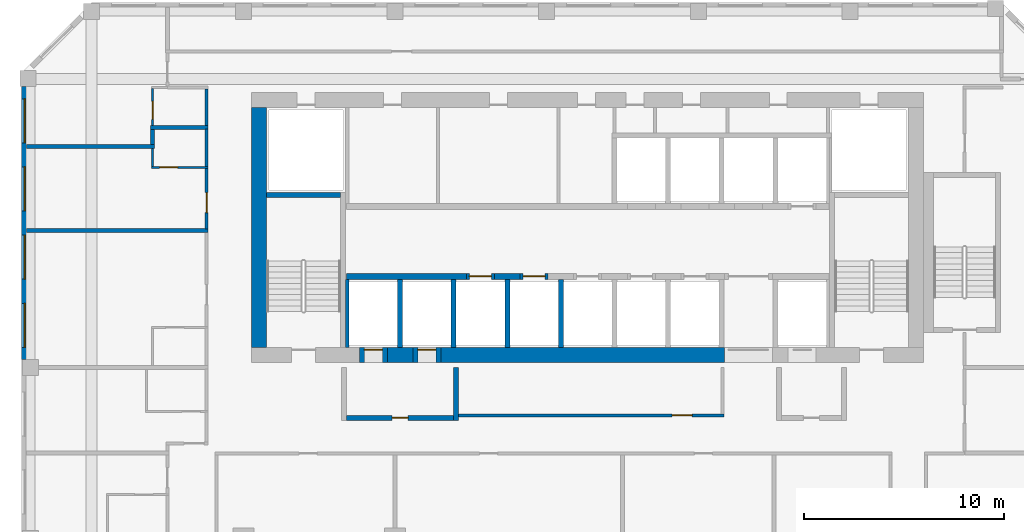
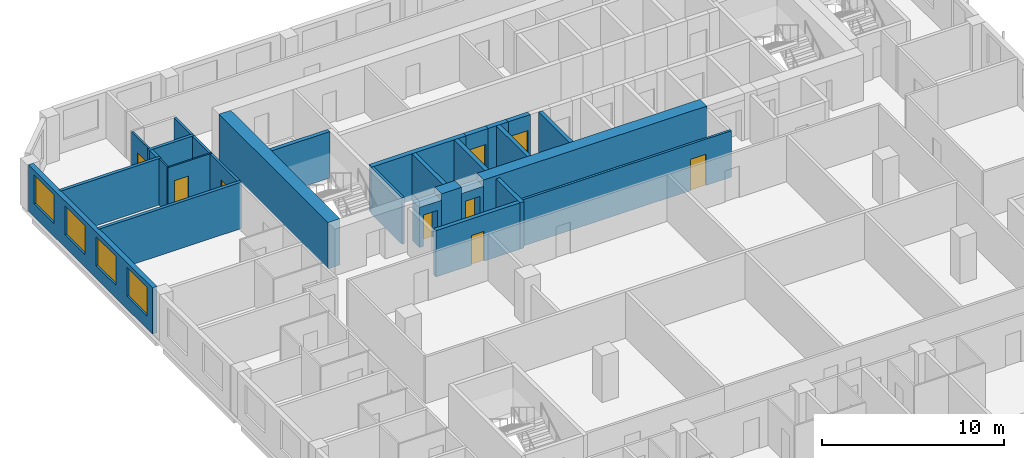
# One storey, part 7 of 21: 29 walls, 9 doors, 4 windows, 13 openings.
"""IFC4 building model written with IfcOpenShell, lengths in metres."""

from ifc_helpers import new_model, si_unit, direction, frame, frame_2d, origin, place, context, subcontext, project, spatial, rectangle, extrude, source, transform, mapped, material, layer, layer_set, type_object, element, fill, save


model = new_model("IFC4")

# Units and contexts
model_context = context("Model", 3, precision=1e-05, world=origin(), true_north=direction((0.0, 1.0)))
body_context = subcontext(model_context, "Body", "Model", "MODEL_VIEW")
ifc_project = project(units=[si_unit("LENGTHUNIT", "METRE"), si_unit("AREAUNIT", "SQUARE_METRE"), si_unit("VOLUMEUNIT", "CUBIC_METRE"), si_unit("PLANEANGLEUNIT", "RADIAN"), si_unit("MASSUNIT", "GRAM", prefix="KILO")], contexts=[model_context])

# Site, building, storey
site_placement = place(None, origin())
site = spatial("IfcSite", under=ifc_project, at=site_placement, CompositionType="ELEMENT")
building_placement = place(site_placement, origin())
building = spatial("IfcBuilding", under=site, at=building_placement, Name="Kilnfold Tower and Market Hall", CompositionType="ELEMENT")
storey_placement = place(building_placement, frame((0.0, 0.0, 182.10009765625)))
storey = spatial("IfcBuildingStorey", under=building, at=storey_placement, Name="L43", CompositionType="ELEMENT", Elevation=182.10009765625)

# Wall, opening, door
ifc_material_1 = material(Name="Gypsum board on steel studs", Category="steel")
ifc_layer_1 = layer(ifc_material_1, 0.14990234375)
ifc_layer_set_1 = layer_set([ifc_layer_1], Name="Gypsum board on steel studs")
wall_type_1 = type_object("IfcWallType", Name="WALL CORRIDOR 150", PredefinedType="PARTITIONING", material=ifc_layer_set_1)
wall_1_placement = place(storey_placement, frame((-18.0, 14.927001953125, 0.0), z_axis=(0.0, 0.0, 1.0), x_axis=(0.0, 1.0, 0.0)))
wall_1 = element("IfcWall", 1, at=wall_1_placement, inside=storey, type_object=wall_type_1, Name="Partition LY27.24", PredefinedType="PARTITIONING", context=body_context, shape_type="SweptSolid", body=[
    extrude(rectangle(XDim=3.032958984375, YDim=0.14990234375, at=frame_2d((1.5166015625, 0.0))), origin(), (0.0, 0.0, 1.0), 3.119873046875),
])
opening_1_placement = place(wall_1_placement, frame((0.81201171875, 0.0, 0.0)))
opening_1 = element("IfcOpeningElement", 2, at=opening_1_placement, cuts=wall_1, Name="Opening D1", PredefinedType="OPENING", context=body_context, shape_type="SweptSolid", body=[
    extrude(rectangle(XDim=1.0, YDim=2.10009765625, at=frame_2d((0.5, 1.050048828125))), frame((0.0, 0.0849609375, 0.0), z_axis=(0.0, -1.0, 0.0), x_axis=(1.0, 0.0, 0.0)), (0.0, 0.0, 1.0), 0.169921875),
])
ifc_material_2 = material(Name="Timber veneer door leaf in steel frame", Category="steel")
door_type_1 = type_object("IfcDoorType", Name="DOOR ENTRY 1000 X2100", OperationType="NOTDEFINED", PredefinedType="DOOR", material=ifc_material_2)
door_1_placement = place(opening_1_placement, origin())
door_1 = element("IfcDoor", 3, at=door_1_placement, inside=storey, type_object=door_type_1, Name="Door D1", OperationType="SINGLE_SWING_LEFT", OverallHeight=2.10009765625, OverallWidth=1.0, PredefinedType="DOOR", context=body_context, shape_type="SweptSolid", body=[
    extrude(rectangle(XDim=1.0, YDim=2.10009765625, at=frame_2d((0.5, 1.050048828125))), frame((0.0, 0.02490234375, 0.0), z_axis=(0.0, -1.0, 0.0), x_axis=(1.0, 0.0, 0.0)), (0.0, 0.0, 1.0), 0.050048828125),
])
fill(opening_1, door_1)

# Walls
wall_2_placement = place(storey_placement, frame((-18.0, 18.0400390625, 0.0), z_axis=(0.0, 0.0, 1.0), x_axis=(0.0, 1.0, 0.0)))
element("IfcWall", 4, at=wall_2_placement, inside=storey, type_object=wall_type_1, Name="Partition LY27.25", PredefinedType="PARTITIONING", context=body_context, shape_type="SweptSolid", body=[
    extrude(rectangle(XDim=1.869873046875, YDim=0.14990234375, at=frame_2d((0.93505859375, 0.0))), origin(), (0.0, 0.0, 1.0), 3.119873046875),
])
wall_3_placement = place(storey_placement, frame((-18.0, 20.090087890625, 0.0), z_axis=(0.0, 0.0, 1.0), x_axis=(0.0, 1.0, 0.0)))
element("IfcWall", 5, at=wall_3_placement, inside=storey, type_object=wall_type_1, Name="Partition LY27.27", PredefinedType="PARTITIONING", context=body_context, shape_type="SweptSolid", body=[
    extrude(rectangle(XDim=1.8349609375, YDim=0.14990234375, at=frame_2d((0.91748046875, 0.0))), origin(), (0.0, 0.0, 1.0), 3.119873046875),
])

# Wall, opening, door
wall_4_placement = place(storey_placement, frame((7.875, 5.60009765625, 0.0), z_axis=(0.0, 0.0, 1.0), x_axis=(-1.0, 0.0, 0.0)))
wall_4 = element("IfcWall", 6, at=wall_4_placement, inside=storey, type_object=wall_type_1, Name="Partition LY27.40", PredefinedType="PARTITIONING", context=body_context, shape_type="SweptSolid", body=[
    extrude(rectangle(XDim=13.27490234375, YDim=0.14990234375, at=frame_2d((6.637451171875, 0.0))), origin(), (0.0, 0.0, 1.0), 3.119873046875),
])
opening_2_placement = place(wall_4_placement, frame((1.60888671875, 0.0, 0.0)))
opening_2 = element("IfcOpeningElement", 7, at=opening_2_placement, cuts=wall_4, Name="Opening D1", PredefinedType="OPENING", context=body_context, shape_type="SweptSolid", body=[
    extrude(rectangle(XDim=1.0, YDim=2.10009765625, at=frame_2d((0.5, 1.050048828125))), frame((0.0, 0.0849609375, 0.0), z_axis=(0.0, -1.0, 0.0), x_axis=(1.0, 0.0, 0.0)), (0.0, 0.0, 1.0), 0.169921875),
])
door_2_placement = place(opening_2_placement, origin())
door_2 = element("IfcDoor", 8, at=door_2_placement, inside=storey, type_object=door_type_1, Name="Door D1", OperationType="SINGLE_SWING_LEFT", OverallHeight=2.10009765625, OverallWidth=1.0, PredefinedType="DOOR", context=body_context, shape_type="SweptSolid", body=[
    extrude(rectangle(XDim=1.0, YDim=2.10009765625, at=frame_2d((0.5, 1.050048828125))), frame((0.0, 0.02490234375, 0.0), z_axis=(0.0, -1.0, 0.0), x_axis=(1.0, 0.0, 0.0)), (0.0, 0.0, 1.0), 0.050048828125),
])
fill(opening_2, door_2)

ifc_material_3 = material(Name="Gypsum board on steel studs", Category="steel")
ifc_layer_2 = layer(ifc_material_3, 0.10009765625)
ifc_layer_set_2 = layer_set([ifc_layer_2], Name="Gypsum board on steel studs")
wall_type_2 = type_object("IfcWallType", Name="WALL PARTITION 100", PredefinedType="PARTITIONING", material=ifc_layer_set_2)
wall_5_placement = place(storey_placement, frame((-17.927001953125, 18.0, 0.0), z_axis=(0.0, 0.0, 1.0), x_axis=(-1.0, 0.0, 0.0)))
wall_5 = element("IfcWall", 9, at=wall_5_placement, inside=storey, type_object=wall_type_2, Name="Partition LY27.103", PredefinedType="PARTITIONING", context=body_context, shape_type="SweptSolid", body=[
    extrude(rectangle(XDim=2.824951171875, YDim=0.10009765625, at=frame_2d((1.41259765625, 0.0))), origin(), (0.0, 0.0, 1.0), 3.119873046875),
])
opening_3_placement = place(wall_5_placement, frame((1.52197265625, 0.0, 0.0)))
opening_3 = element("IfcOpeningElement", 10, at=opening_3_placement, cuts=wall_5, Name="Opening D3", PredefinedType="OPENING", context=body_context, shape_type="SweptSolid", body=[
    extrude(rectangle(XDim=0.89990234375, YDim=2.10009765625, at=frame_2d((0.449951171875, 1.050048828125))), frame((0.0, 0.06005859375, 0.0), z_axis=(0.0, -1.0, 0.0), x_axis=(1.0, 0.0, 0.0)), (0.0, 0.0, 1.0), 0.1201171875),
])
ifc_material_4 = material(Name="Timber veneer door leaf in steel frame", Category="steel")
door_type_2 = type_object("IfcDoorType", Name="DOOR WC 900 X2100", OperationType="NOTDEFINED", PredefinedType="DOOR", material=ifc_material_4)
door_3_placement = place(opening_3_placement, origin())
door_3 = element("IfcDoor", 11, at=door_3_placement, inside=storey, type_object=door_type_2, Name="Door D3", OperationType="SINGLE_SWING_RIGHT", OverallHeight=2.10009765625, OverallWidth=0.89990234375, PredefinedType="DOOR", context=body_context, shape_type="SweptSolid", body=[
    extrude(rectangle(XDim=0.89990234375, YDim=2.10009765625, at=frame_2d((0.449951171875, 1.050048828125))), frame((0.0, 0.02490234375, 0.0), z_axis=(0.0, -1.0, 0.0), x_axis=(1.0, 0.0, 0.0)), (0.0, 0.0, 1.0), 0.050048828125),
])
fill(opening_3, door_3)

# Wall
wall_6_placement = place(storey_placement, frame((-20.701904296875, 18.050048828125, 0.0), z_axis=(0.0, 0.0, 1.0), x_axis=(0.0, 1.0, 0.0)))
element("IfcWall", 12, at=wall_6_placement, inside=storey, type_object=wall_type_2, Name="Partition LY27.104", PredefinedType="PARTITIONING", context=body_context, shape_type="SweptSolid", body=[
    extrude(rectangle(XDim=0.90283203125, YDim=0.10009765625, at=frame_2d((0.451416015625, 0.0))), origin(), (0.0, 0.0, 1.0), 3.119873046875),
])

# Wall, opening, door
wall_7_placement = place(storey_placement, frame((-20.701904296875, 20.090087890625, 0.0), z_axis=(0.0, 0.0, 1.0), x_axis=(0.0, 1.0, 0.0)))
wall_7 = element("IfcWall", 13, at=wall_7_placement, inside=storey, type_object=wall_type_2, Name="Partition LY27.109", PredefinedType="PARTITIONING", context=body_context, shape_type="SweptSolid", body=[
    extrude(rectangle(XDim=1.85986328125, YDim=0.10009765625, at=frame_2d((0.929931640625, 0.0))), origin(), (0.0, 0.0, 1.0), 3.119873046875),
])
opening_4_placement = place(wall_7_placement, frame((0.31201171875, 0.0, 0.0)))
opening_4 = element("IfcOpeningElement", 14, at=opening_4_placement, cuts=wall_7, Name="Opening D3", PredefinedType="OPENING", context=body_context, shape_type="SweptSolid", body=[
    extrude(rectangle(XDim=0.89990234375, YDim=2.10009765625, at=frame_2d((0.449951171875, 1.050048828125))), frame((0.0, 0.06005859375, 0.0), z_axis=(0.0, -1.0, 0.0), x_axis=(1.0, 0.0, 0.0)), (0.0, 0.0, 1.0), 0.1201171875),
])
door_4_placement = place(opening_4_placement, origin())
door_4 = element("IfcDoor", 15, at=door_4_placement, inside=storey, type_object=door_type_2, Name="Door D3", OperationType="SINGLE_SWING_RIGHT", OverallHeight=2.10009765625, OverallWidth=0.89990234375, PredefinedType="DOOR", context=body_context, shape_type="SweptSolid", body=[
    extrude(rectangle(XDim=0.89990234375, YDim=2.10009765625, at=frame_2d((0.449951171875, 1.050048828125))), frame((0.0, 0.02490234375, 0.0), z_axis=(0.0, -1.0, 0.0), x_axis=(1.0, 0.0, 0.0)), (0.0, 0.0, 1.0), 0.050048828125),
])
fill(opening_4, door_4)

# Walls
ifc_material_5 = material(Name="Gypsum board on steel studs", Category="steel")
ifc_layer_3 = layer(ifc_material_5, 0.199951171875)
ifc_layer_set_3 = layer_set([ifc_layer_3], Name="Gypsum board on steel studs")
wall_type_3 = type_object("IfcWallType", Name="WALL PARTY 200", PredefinedType="PARTITIONING", material=ifc_layer_set_3)
wall_8_placement = place(storey_placement, frame((-17.927001953125, 14.8369140625, 0.0), z_axis=(0.0, 0.0, 1.0), x_axis=(-1.0, 0.0, 0.0)))
element("IfcWall", 16, at=wall_8_placement, inside=storey, type_object=wall_type_3, Name="Partition LY27.102", PredefinedType="PARTITIONING", context=body_context, shape_type="SweptSolid", body=[
    extrude(rectangle(XDim=9.072998046875, YDim=0.199951171875, at=frame_2d((4.53662109375, 0.0))), origin(), (0.0, 0.0, 1.0), 3.119873046875),
])
wall_9_placement = place(storey_placement, frame((-20.60205078125, 19.052978515625, 0.0), z_axis=(0.0, 0.0, 1.0), x_axis=(-1.0, 0.0, 0.0)))
element("IfcWall", 17, at=wall_9_placement, inside=storey, type_object=wall_type_3, Name="Partition LY27.105", PredefinedType="PARTITIONING", context=body_context, shape_type="SweptSolid", body=[
    extrude(rectangle(XDim=6.39794921875, YDim=0.199951171875, at=frame_2d((3.198974609375, 0.0))), origin(), (0.0, 0.0, 1.0), 3.119873046875),
])
wall_10_placement = place(storey_placement, frame((-20.701904296875, 19.89990234375, 0.0), z_axis=(0.0, 0.0, 1.0), x_axis=(0.0, -1.0, 0.0)))
element("IfcWall", 18, at=wall_10_placement, inside=storey, type_object=wall_type_3, Name="Partition LY27.106", PredefinedType="PARTITIONING", context=body_context, shape_type="SweptSolid", body=[
    extrude(rectangle(XDim=0.7568359375, YDim=0.199951171875, at=frame_2d((0.37841796875, 0.0))), origin(), (0.0, 0.0, 1.0), 3.119873046875),
])
wall_11_placement = place(storey_placement, frame((-17.927001953125, 20.0, 0.0), z_axis=(0.0, 0.0, 1.0), x_axis=(-1.0, 0.0, 0.0)))
element("IfcWall", 19, at=wall_11_placement, inside=storey, type_object=wall_type_3, Name="Partition LY27.107", PredefinedType="PARTITIONING", context=body_context, shape_type="SweptSolid", body=[
    extrude(rectangle(XDim=2.875, YDim=0.199951171875, at=frame_2d((1.4375, 0.0))), origin(), (0.0, 0.0, 1.0), 3.119873046875),
])
ifc_material_6 = material(Name="Concrete C60", Category="concrete")
ifc_layer_4 = layer(ifc_material_6, 0.25)
ifc_layer_set_4 = layer_set([ifc_layer_4], Name="Concrete C60")
wall_type_4 = type_object("IfcWallType", Name="CORE WALL 250 C60", PredefinedType="SHEAR", material=ifc_layer_set_4)
shared_shape_1 = source(origin(), body_context, "Body", "SweptSolid", [
    extrude(rectangle(XDim=3.699951171875, YDim=0.25, at=frame_2d((1.85009765625, 0.0))), origin(), (0.0, 0.0, 1.0), 3.119873046875),
])
wall_12_placement = place(storey_placement, frame((-15.0, 16.625, 0.0), z_axis=(0.0, 0.0, 1.0), x_axis=(1.0, 0.0, 0.0)))
element("IfcWall", 20, at=wall_12_placement, inside=storey, type_object=wall_type_4, Name="Stair enclosure ST1", PredefinedType="SHEAR", context=body_context, shape_type="MappedRepresentation", body=[
    mapped(shared_shape_1, transform((0.0, 0.0, 0.0))),
])
ifc_material_7 = material(Name="Concrete C60", Category="concrete")
ifc_layer_5 = layer(ifc_material_7, 0.300048828125)
ifc_layer_set_5 = layer_set([ifc_layer_5], Name="Concrete C60")
wall_type_5 = type_object("IfcWallType", Name="CORE WALL 300 C60", PredefinedType="SHEAR", material=ifc_layer_set_5)
shared_shape_2 = source(origin(), body_context, "Body", "SweptSolid", [
    extrude(rectangle(XDim=6.0, YDim=0.300048828125, at=frame_2d((3.0, 0.0))), origin(), (0.0, 0.0, 1.0), 3.119873046875),
])
wall_13_placement = place(storey_placement, frame((-11.010009765625, 12.550048828125, 0.0), z_axis=(0.0, 0.0, 1.0), x_axis=(1.0, 0.0, 0.0)))
element("IfcWall", 21, at=wall_13_placement, inside=storey, type_object=wall_type_5, Name="Core spine wall", PredefinedType="SHEAR", context=body_context, shape_type="MappedRepresentation", body=[
    mapped(shared_shape_2, transform((0.0, 0.0, 0.0))),
])
shared_shape_3 = source(origin(), body_context, "Body", "SweptSolid", [
    extrude(rectangle(XDim=1.280029296875, YDim=0.300048828125, at=frame_2d((0.64013671875, 0.0))), origin(), (0.0, 0.0, 1.0), 3.119873046875),
])
wall_14_placement = place(storey_placement, frame((-3.610107421875, 12.550048828125, 0.0), z_axis=(0.0, 0.0, 1.0), x_axis=(1.0, 0.0, 0.0)))
element("IfcWall", 22, at=wall_14_placement, inside=storey, type_object=wall_type_5, Name="Core spine wall", PredefinedType="SHEAR", context=body_context, shape_type="MappedRepresentation", body=[
    mapped(shared_shape_3, transform((0.0, 0.0, 0.0))),
])
ifc_material_8 = material(Name="Concrete C60", Category="concrete")
ifc_layer_6 = layer(ifc_material_8, 0.75)
ifc_layer_set_6 = layer_set([ifc_layer_6], Name="Concrete C60")
wall_type_6 = type_object("IfcWallType", Name="CORE WALL 750 C60", PredefinedType="SHEAR", material=ifc_layer_set_6)
shared_shape_4 = source(origin(), body_context, "Body", "SweptSolid", [
    extrude(rectangle(XDim=1.280029296875, YDim=0.75, at=frame_2d((0.64013671875, 0.0))), origin(), (0.0, 0.0, 1.0), 3.119873046875),
])
wall_15_placement = place(storey_placement, frame((-8.969970703125, 8.625, 0.0), z_axis=(0.0, 0.0, 1.0), x_axis=(1.0, 0.0, 0.0)))
element("IfcWall", 23, at=wall_15_placement, inside=storey, type_object=wall_type_6, Name="Core outer wall south", PredefinedType="SHEAR", context=body_context, shape_type="MappedRepresentation", body=[
    mapped(shared_shape_4, transform((0.0, 0.0, 0.0))),
])
shared_shape_5 = source(origin(), body_context, "Body", "SweptSolid", [
    extrude(rectangle(XDim=14.179931640625, YDim=0.75, at=frame_2d((7.08984375, 0.0))), origin(), (0.0, 0.0, 1.0), 3.119873046875),
])
wall_16_placement = place(storey_placement, frame((-6.2900390625, 8.625, 0.0), z_axis=(0.0, 0.0, 1.0), x_axis=(1.0, 0.0, 0.0)))
element("IfcWall", 24, at=wall_16_placement, inside=storey, type_object=wall_type_6, Name="Core outer wall south", PredefinedType="SHEAR", context=body_context, shape_type="MappedRepresentation", body=[
    mapped(shared_shape_5, transform((0.0, 0.0, 0.0))),
])
shared_shape_6 = source(origin(), body_context, "Body", "SweptSolid", [
    extrude(rectangle(XDim=12.0, YDim=0.75, at=frame_2d((6.0, 0.0))), origin(), (0.0, 0.0, 1.0), 3.119873046875),
])
wall_17_placement = place(storey_placement, frame((-15.375, 9.0, 0.0), z_axis=(0.0, 0.0, 1.0), x_axis=(0.0, 1.0, 0.0)))
element("IfcWall", 25, at=wall_17_placement, inside=storey, type_object=wall_type_6, Name="Core outer wall west", PredefinedType="SHEAR", context=body_context, shape_type="MappedRepresentation", body=[
    mapped(shared_shape_6, transform((0.0, 0.0, 0.0))),
])

# Wall, openings, windows
ifc_material_9 = material(Name="Precast concrete C50/60", Category="concrete")
ifc_layer_7 = layer(ifc_material_9, 0.300048828125)
ifc_layer_set_7 = layer_set([ifc_layer_7], Name="Precast concrete C50/60")
wall_type_7 = type_object("IfcWallType", Name="PRECAST WALL 300", PredefinedType="SOLIDWALL", material=ifc_layer_set_7)
shared_shape_7 = source(origin(), body_context, "Body", "SweptSolid", [
    extrude(rectangle(XDim=13.6318359375, YDim=0.300048828125, at=frame_2d((6.81591796875, 0.0))), origin(), (0.0, 0.0, 1.0), 3.119873046875),
])
wall_18_placement = place(storey_placement, frame((-27.10009765625, 22.03173828125, 0.0), z_axis=(0.0, 0.0, 1.0), x_axis=(0.0, -1.0, 0.0)))
wall_18 = element("IfcWall", 26, at=wall_18_placement, inside=storey, type_object=wall_type_7, Name="External wall L43 W", PredefinedType="SOLIDWALL", context=body_context, shape_type="MappedRepresentation", body=[
    mapped(shared_shape_7, transform((0.0, 0.0, 0.0))),
])
opening_5_placement = place(wall_18_placement, frame((0.60400390625, 0.0, 0.85009765625)))
opening_5 = element("IfcOpeningElement", 27, at=opening_5_placement, cuts=wall_18, Name="Opening W2", PredefinedType="OPENING", context=body_context, shape_type="SweptSolid", body=[
    extrude(rectangle(XDim=2.199951171875, YDim=1.949951171875, at=frame_2d((1.10009765625, 0.97509765625))), frame((0.0, 0.16015625, 0.0), z_axis=(0.0, -1.0, 0.0), x_axis=(1.0, 0.0, 0.0)), (0.0, 0.0, 1.0), 0.320068359375),
])
opening_6_placement = place(wall_18_placement, frame((4.011962890625, 0.0, 0.85009765625)))
opening_6 = element("IfcOpeningElement", 28, at=opening_6_placement, cuts=wall_18, Name="Opening W2", PredefinedType="OPENING", context=body_context, shape_type="SweptSolid", body=[
    extrude(rectangle(XDim=2.199951171875, YDim=1.949951171875, at=frame_2d((1.10009765625, 0.97509765625))), frame((0.0, 0.16015625, 0.0), z_axis=(0.0, -1.0, 0.0), x_axis=(1.0, 0.0, 0.0)), (0.0, 0.0, 1.0), 0.320068359375),
])
opening_7_placement = place(wall_18_placement, frame((7.419921875, 0.0, 0.85009765625)))
opening_7 = element("IfcOpeningElement", 29, at=opening_7_placement, cuts=wall_18, Name="Opening W2", PredefinedType="OPENING", context=body_context, shape_type="SweptSolid", body=[
    extrude(rectangle(XDim=2.199951171875, YDim=1.949951171875, at=frame_2d((1.10009765625, 0.97509765625))), frame((0.0, 0.16015625, 0.0), z_axis=(0.0, -1.0, 0.0), x_axis=(1.0, 0.0, 0.0)), (0.0, 0.0, 1.0), 0.320068359375),
])
opening_8_placement = place(wall_18_placement, frame((10.827880859375, 0.0, 0.85009765625)))
opening_8 = element("IfcOpeningElement", 30, at=opening_8_placement, cuts=wall_18, Name="Opening W2", PredefinedType="OPENING", context=body_context, shape_type="SweptSolid", body=[
    extrude(rectangle(XDim=2.199951171875, YDim=1.949951171875, at=frame_2d((1.10009765625, 0.97509765625))), frame((0.0, 0.16015625, 0.0), z_axis=(0.0, -1.0, 0.0), x_axis=(1.0, 0.0, 0.0)), (0.0, 0.0, 1.0), 0.320068359375),
])
ifc_material_10 = material(Name="Aluminium frame and double glazing", Category="aluminium")
window_type = type_object("IfcWindowType", Name="WINDOW W2 2200X1950", PartitioningType="SINGLE_PANEL", PredefinedType="WINDOW", material=ifc_material_10)
window_1_placement = place(opening_5_placement, origin())
window_1 = element("IfcWindow", 31, at=window_1_placement, inside=storey, type_object=window_type, Name="Window W2 L43 W-1", OverallHeight=1.949951171875, OverallWidth=2.199951171875, PartitioningType="SINGLE_PANEL", PredefinedType="WINDOW", context=body_context, shape_type="SweptSolid", body=[
    extrude(rectangle(XDim=2.199951171875, YDim=1.949951171875, at=frame_2d((1.10009765625, 0.97509765625))), frame((0.0, 0.030029296875, 0.0), z_axis=(0.0, -1.0, 0.0), x_axis=(1.0, 0.0, 0.0)), (0.0, 0.0, 1.0), 0.06005859375),
])
fill(opening_5, window_1)
window_2_placement = place(opening_6_placement, origin())
window_2 = element("IfcWindow", 32, at=window_2_placement, inside=storey, type_object=window_type, Name="Window W2 L43 W-2", OverallHeight=1.949951171875, OverallWidth=2.199951171875, PartitioningType="SINGLE_PANEL", PredefinedType="WINDOW", context=body_context, shape_type="SweptSolid", body=[
    extrude(rectangle(XDim=2.199951171875, YDim=1.949951171875, at=frame_2d((1.10009765625, 0.97509765625))), frame((0.0, 0.030029296875, 0.0), z_axis=(0.0, -1.0, 0.0), x_axis=(1.0, 0.0, 0.0)), (0.0, 0.0, 1.0), 0.06005859375),
])
fill(opening_6, window_2)
window_3_placement = place(opening_7_placement, origin())
window_3 = element("IfcWindow", 33, at=window_3_placement, inside=storey, type_object=window_type, Name="Window W2 L43 W-3", OverallHeight=1.949951171875, OverallWidth=2.199951171875, PartitioningType="SINGLE_PANEL", PredefinedType="WINDOW", context=body_context, shape_type="SweptSolid", body=[
    extrude(rectangle(XDim=2.199951171875, YDim=1.949951171875, at=frame_2d((1.10009765625, 0.97509765625))), frame((0.0, 0.030029296875, 0.0), z_axis=(0.0, -1.0, 0.0), x_axis=(1.0, 0.0, 0.0)), (0.0, 0.0, 1.0), 0.06005859375),
])
fill(opening_7, window_3)
window_4_placement = place(opening_8_placement, origin())
window_4 = element("IfcWindow", 34, at=window_4_placement, inside=storey, type_object=window_type, Name="Window W2 L43 W-4", OverallHeight=1.949951171875, OverallWidth=2.199951171875, PartitioningType="SINGLE_PANEL", PredefinedType="WINDOW", context=body_context, shape_type="SweptSolid", body=[
    extrude(rectangle(XDim=2.199951171875, YDim=1.949951171875, at=frame_2d((1.10009765625, 0.97509765625))), frame((0.0, 0.030029296875, 0.0), z_axis=(0.0, -1.0, 0.0), x_axis=(1.0, 0.0, 0.0)), (0.0, 0.0, 1.0), 0.06005859375),
])
fill(opening_8, window_4)

# Wall, opening, door
ifc_material_11 = material(Name="Gypsum shaft wall system")
ifc_layer_8 = layer(ifc_material_11, 0.300048828125)
ifc_layer_set_8 = layer_set([ifc_layer_8], Name="Gypsum shaft wall system")
wall_type_8 = type_object("IfcWallType", Name="SHAFT WALL 300", PredefinedType="PARTITIONING", material=ifc_layer_set_8)
shared_shape_8 = source(origin(), body_context, "Body", "SweptSolid", [
    extrude(rectangle(XDim=1.39990234375, YDim=0.300048828125, at=frame_2d((0.699951171875, 0.0))), origin(), (0.0, 0.0, 1.0), 3.119873046875),
])
wall_19_placement = place(storey_placement, frame((-5.010009765625, 12.550048828125, 0.0), z_axis=(0.0, 0.0, 1.0), x_axis=(1.0, 0.0, 0.0)))
wall_19 = element("IfcWall", 35, at=wall_19_placement, inside=storey, type_object=wall_type_8, Name="Lift shaft front wall", PredefinedType="PARTITIONING", context=body_context, shape_type="MappedRepresentation", body=[
    mapped(shared_shape_8, transform((0.0, 0.0, 0.0))),
])
opening_9_placement = place(wall_19_placement, frame((0.14990234375, 0.0, 0.0)))
opening_9 = element("IfcOpeningElement", 36, at=opening_9_placement, cuts=wall_19, Name="Opening LD2", PredefinedType="OPENING", context=body_context, shape_type="SweptSolid", body=[
    extrude(rectangle(XDim=1.10009765625, YDim=2.10009765625, at=frame_2d((0.550048828125, 1.050048828125))), frame((0.0, 0.16015625, 0.0), z_axis=(0.0, -1.0, 0.0), x_axis=(1.0, 0.0, 0.0)), (0.0, 0.0, 1.0), 0.320068359375),
])
ifc_material_12 = material(Name="Steel door set with fire-resisting leaf", Category="steel")
door_type_3 = type_object("IfcDoorType", Name="LANDING DOOR 1100X2100", OperationType="NOTDEFINED", PredefinedType="DOOR", material=ifc_material_12)
door_5_placement = place(opening_9_placement, origin())
door_5 = element("IfcDoor", 37, at=door_5_placement, inside=storey, type_object=door_type_3, Name="Landing door MR1", OperationType="DOUBLE_DOOR_SLIDING", OverallHeight=2.10009765625, OverallWidth=1.10009765625, PredefinedType="DOOR", context=body_context, shape_type="SweptSolid", body=[
    extrude(rectangle(XDim=1.10009765625, YDim=2.10009765625, at=frame_2d((0.550048828125, 1.050048828125))), frame((0.0, 0.02490234375, 0.0), z_axis=(0.0, -1.0, 0.0), x_axis=(1.0, 0.0, 0.0)), (0.0, 0.0, 1.0), 0.050048828125),
])
fill(opening_9, door_5)

shared_shape_9 = source(origin(), body_context, "Body", "SweptSolid", [
    extrude(rectangle(XDim=1.400146484375, YDim=0.300048828125, at=frame_2d((0.7001953125, 0.0))), origin(), (0.0, 0.0, 1.0), 3.119873046875),
])
wall_20_placement = place(storey_placement, frame((-2.330078125, 12.550048828125, 0.0), z_axis=(0.0, 0.0, 1.0), x_axis=(1.0, 0.0, 0.0)))
wall_20 = element("IfcWall", 38, at=wall_20_placement, inside=storey, type_object=wall_type_8, Name="Lift shaft front wall", PredefinedType="PARTITIONING", context=body_context, shape_type="MappedRepresentation", body=[
    mapped(shared_shape_9, transform((0.0, 0.0, 0.0))),
])
opening_10_placement = place(wall_20_placement, frame((0.14990234375, 0.0, 0.0)))
opening_10 = element("IfcOpeningElement", 39, at=opening_10_placement, cuts=wall_20, Name="Opening LD2", PredefinedType="OPENING", context=body_context, shape_type="SweptSolid", body=[
    extrude(rectangle(XDim=1.10009765625, YDim=2.10009765625, at=frame_2d((0.550048828125, 1.050048828125))), frame((0.0, 0.16015625, 0.0), z_axis=(0.0, -1.0, 0.0), x_axis=(1.0, 0.0, 0.0)), (0.0, 0.0, 1.0), 0.320068359375),
])
door_6_placement = place(opening_10_placement, origin())
door_6 = element("IfcDoor", 40, at=door_6_placement, inside=storey, type_object=door_type_3, Name="Landing door MR2", OperationType="DOUBLE_DOOR_SLIDING", OverallHeight=2.10009765625, OverallWidth=1.10009765625, PredefinedType="DOOR", context=body_context, shape_type="SweptSolid", body=[
    extrude(rectangle(XDim=1.10009765625, YDim=2.10009765625, at=frame_2d((0.550048828125, 1.050048828125))), frame((0.0, 0.02490234375, 0.0), z_axis=(0.0, -1.0, 0.0), x_axis=(1.0, 0.0, 0.0)), (0.0, 0.0, 1.0), 0.050048828125),
])
fill(opening_10, door_6)

# Wall
ifc_material_13 = material(Name="Gypsum shaft wall system")
ifc_layer_9 = layer(ifc_material_13, 0.25)
ifc_layer_set_9 = layer_set([ifc_layer_9], Name="Gypsum shaft wall system")
wall_type_9 = type_object("IfcWallType", Name="LOBBY WALL 250", PredefinedType="PARTITIONING", material=ifc_layer_set_9)
shared_shape_10 = source(origin(), body_context, "Body", "SweptSolid", [
    extrude(rectangle(XDim=2.64990234375, YDim=0.25, at=frame_2d((1.324951171875, 0.0))), origin(), (0.0, 0.0, 1.0), 3.119873046875),
])
wall_21_placement = place(storey_placement, frame((-5.52490234375, 5.35009765625, 0.0), z_axis=(0.0, 0.0, 1.0), x_axis=(0.0, 1.0, 0.0)))
element("IfcWall", 41, at=wall_21_placement, inside=storey, type_object=wall_type_9, Name="Firefighting lobby wall", PredefinedType="PARTITIONING", context=body_context, shape_type="MappedRepresentation", body=[
    mapped(shared_shape_10, transform((0.0, 0.0, 0.0))),
])

# Wall, opening, door
shared_shape_11 = source(origin(), body_context, "Body", "SweptSolid", [
    extrude(rectangle(XDim=5.360107421875, YDim=0.25, at=frame_2d((2.68017578125, 0.0))), origin(), (0.0, 0.0, 1.0), 3.119873046875),
])
wall_22_placement = place(storey_placement, frame((-11.010009765625, 5.47509765625, 0.0), z_axis=(0.0, 0.0, 1.0), x_axis=(1.0, 0.0, 0.0)))
wall_22 = element("IfcWall", 42, at=wall_22_placement, inside=storey, type_object=wall_type_9, Name="Firefighting lobby wall", PredefinedType="PARTITIONING", context=body_context, shape_type="MappedRepresentation", body=[
    mapped(shared_shape_11, transform((0.0, 0.0, 0.0))),
])
opening_11_placement = place(wall_22_placement, frame((2.280029296875, 0.0, 0.0)))
opening_11 = element("IfcOpeningElement", 43, at=opening_11_placement, cuts=wall_22, Name="Opening VD1", PredefinedType="OPENING", context=body_context, shape_type="SweptSolid", body=[
    extrude(rectangle(XDim=0.800048828125, YDim=2.0, at=frame_2d((0.39990234375, 1.0))), frame((0.0, 0.135009765625, 0.0), z_axis=(0.0, -1.0, 0.0), x_axis=(1.0, 0.0, 0.0)), (0.0, 0.0, 1.0), 0.27001953125),
])
ifc_material_14 = material(Name="Steel door set with fire-resisting leaf", Category="steel")
door_type_4 = type_object("IfcDoorType", Name="FIREFIGHTING LOBBY DOOR 800X2000", OperationType="NOTDEFINED", PredefinedType="DOOR", material=ifc_material_14)
door_7_placement = place(opening_11_placement, origin())
door_7 = element("IfcDoor", 44, at=door_7_placement, inside=storey, type_object=door_type_4, Name="Firefighting lobby door", OperationType="SINGLE_SWING_LEFT", OverallHeight=2.0, OverallWidth=0.800048828125, PredefinedType="DOOR", context=body_context, shape_type="SweptSolid", body=[
    extrude(rectangle(XDim=0.800048828125, YDim=2.0, at=frame_2d((0.39990234375, 1.0))), frame((0.0, 0.02490234375, 0.0), z_axis=(0.0, -1.0, 0.0), x_axis=(1.0, 0.0, 0.0)), (0.0, 0.0, 1.0), 0.050048828125),
])
fill(opening_11, door_7)

# Walls
ifc_material_15 = material(Name="Gypsum shaft wall system")
ifc_layer_10 = layer(ifc_material_15, 0.25)
ifc_layer_set_10 = layer_set([ifc_layer_10], Name="Gypsum shaft wall system")
wall_type_10 = type_object("IfcWallType", Name="SHAFT WALL 250", PredefinedType="PARTITIONING", material=ifc_layer_set_10)
shared_shape_12 = source(origin(), body_context, "Body", "SweptSolid", [
    extrude(rectangle(XDim=3.39990234375, YDim=0.25, at=frame_2d((1.699951171875, 0.0))), origin(), (0.0, 0.0, 1.0), 3.119873046875),
])
for number, where, z_axis, x_axis, name in (
    (45, (-0.2900390625, 9.0, 0.0), (0.0, 0.0, 1.0), (0.0, 1.0, 0.0), "Lift shaft wall"),
    (46, (-2.969970703125, 9.0, 0.0), (0.0, 0.0, 1.0), (0.0, 1.0, 0.0), "Lift shaft wall"),
    (47, (-5.64990234375, 9.0, 0.0), (0.0, 0.0, 1.0), (0.0, 1.0, 0.0), "Lift shaft wall"),
    (48, (-8.330078125, 9.0, 0.0), (0.0, 0.0, 1.0), (0.0, 1.0, 0.0), "Lift shaft wall"),
):
    element("IfcWall", number, at=place(storey_placement, frame(where, z_axis=z_axis, x_axis=x_axis)), inside=storey, type_object=wall_type_10, Name=name, PredefinedType="PARTITIONING", context=body_context, shape_type="MappedRepresentation", body=[
        mapped(shared_shape_12, transform((0.0, 0.0, 0.0))),
    ])
ifc_material_16 = material(Name="Gypsum shaft wall system")
ifc_layer_11 = layer(ifc_material_16, 0.1650390625)
ifc_layer_set_11 = layer_set([ifc_layer_11], Name="Gypsum shaft wall system")
wall_type_11 = type_object("IfcWallType", Name="SHAFT WALL 165", PredefinedType="PARTITIONING", material=ifc_layer_set_11)
shared_shape_13 = source(origin(), body_context, "Body", "SweptSolid", [
    extrude(rectangle(XDim=3.39990234375, YDim=0.1650390625, at=frame_2d((1.699951171875, 0.0))), origin(), (0.0, 0.0, 1.0), 3.119873046875),
])
wall_23_placement = place(storey_placement, frame((-10.967529296875, 9.0, 0.0), z_axis=(0.0, 0.0, 1.0), x_axis=(0.0, 1.0, 0.0)))
element("IfcWall", 49, at=wall_23_placement, inside=storey, type_object=wall_type_11, Name="Lift shaft wall", PredefinedType="PARTITIONING", context=body_context, shape_type="MappedRepresentation", body=[
    mapped(shared_shape_13, transform((0.0, 0.0, 0.0))),
])

# Wall, opening, door
ifc_material_17 = material(Name="Gypsum shaft wall system")
ifc_layer_12 = layer(ifc_material_17, 0.75)
ifc_layer_set_12 = layer_set([ifc_layer_12], Name="Gypsum shaft wall system")
wall_type_12 = type_object("IfcWallType", Name="LOBBY WALL 750", PredefinedType="PARTITIONING", material=ifc_layer_set_12)
shared_shape_14 = source(origin(), body_context, "Body", "SweptSolid", [
    extrude(rectangle(XDim=1.400146484375, YDim=0.75, at=frame_2d((0.7001953125, 0.0))), origin(), (0.0, 0.0, 1.0), 2.699951171875),
])
wall_24_placement = place(storey_placement, frame((-10.3701171875, 8.625, 0.0), z_axis=(0.0, 0.0, 1.0), x_axis=(1.0, 0.0, 0.0)))
wall_24 = element("IfcWall", 50, at=wall_24_placement, inside=storey, type_object=wall_type_12, Name="Core wall infill", PredefinedType="PARTITIONING", context=body_context, shape_type="MappedRepresentation", body=[
    mapped(shared_shape_14, transform((0.0, 0.0, 0.0))),
])
opening_12_placement = place(wall_24_placement, frame((0.25, 0.0, 0.0)))
opening_12 = element("IfcOpeningElement", 51, at=opening_12_placement, cuts=wall_24, Name="Opening LD1", PredefinedType="OPENING", context=body_context, shape_type="SweptSolid", body=[
    extrude(rectangle(XDim=0.89990234375, YDim=2.10009765625, at=frame_2d((0.449951171875, 1.050048828125))), frame((0.0, 0.385009765625, 0.0), z_axis=(0.0, -1.0, 0.0), x_axis=(1.0, 0.0, 0.0)), (0.0, 0.0, 1.0), 0.77001953125),
])
ifc_material_18 = material(Name="Steel door set with fire-resisting leaf", Category="steel")
door_type_5 = type_object("IfcDoorType", Name="FIREFIGHTING LANDING DOOR 900X2100", OperationType="NOTDEFINED", PredefinedType="DOOR", material=ifc_material_18)
door_8_placement = place(opening_12_placement, origin())
door_8 = element("IfcDoor", 52, at=door_8_placement, inside=storey, type_object=door_type_5, Name="Landing door FF1", OperationType="SLIDING_TO_LEFT", OverallHeight=2.10009765625, OverallWidth=0.89990234375, PredefinedType="DOOR", context=body_context, shape_type="SweptSolid", body=[
    extrude(rectangle(XDim=0.89990234375, YDim=2.10009765625, at=frame_2d((0.449951171875, 1.050048828125))), frame((0.0, 0.27978515625, 0.0), z_axis=(0.0, -1.0, 0.0), x_axis=(1.0, 0.0, 0.0)), (0.0, 0.0, 1.0), 0.050048828125),
])
fill(opening_12, door_8)

shared_shape_15 = source(origin(), body_context, "Body", "SweptSolid", [
    extrude(rectangle(XDim=1.39990234375, YDim=0.75, at=frame_2d((0.699951171875, 0.0))), origin(), (0.0, 0.0, 1.0), 2.699951171875),
])
wall_25_placement = place(storey_placement, frame((-7.68994140625, 8.625, 0.0), z_axis=(0.0, 0.0, 1.0), x_axis=(1.0, 0.0, 0.0)))
wall_25 = element("IfcWall", 53, at=wall_25_placement, inside=storey, type_object=wall_type_12, Name="Core wall infill", PredefinedType="PARTITIONING", context=body_context, shape_type="MappedRepresentation", body=[
    mapped(shared_shape_15, transform((0.0, 0.0, 0.0))),
])
opening_13_placement = place(wall_25_placement, frame((0.25, 0.0, 0.0)))
opening_13 = element("IfcOpeningElement", 54, at=opening_13_placement, cuts=wall_25, Name="Opening LD1", PredefinedType="OPENING", context=body_context, shape_type="SweptSolid", body=[
    extrude(rectangle(XDim=0.89990234375, YDim=2.10009765625, at=frame_2d((0.449951171875, 1.050048828125))), frame((0.0, 0.385009765625, 0.0), z_axis=(0.0, -1.0, 0.0), x_axis=(1.0, 0.0, 0.0)), (0.0, 0.0, 1.0), 0.77001953125),
])
door_9_placement = place(opening_13_placement, origin())
door_9 = element("IfcDoor", 55, at=door_9_placement, inside=storey, type_object=door_type_5, Name="Landing door FF2", OperationType="SLIDING_TO_RIGHT", OverallHeight=2.10009765625, OverallWidth=0.89990234375, PredefinedType="DOOR", context=body_context, shape_type="SweptSolid", body=[
    extrude(rectangle(XDim=0.89990234375, YDim=2.10009765625, at=frame_2d((0.449951171875, 1.050048828125))), frame((0.0, 0.27978515625, 0.0), z_axis=(0.0, -1.0, 0.0), x_axis=(1.0, 0.0, 0.0)), (0.0, 0.0, 1.0), 0.050048828125),
])
fill(opening_13, door_9)

save(model, "model.ifc")
